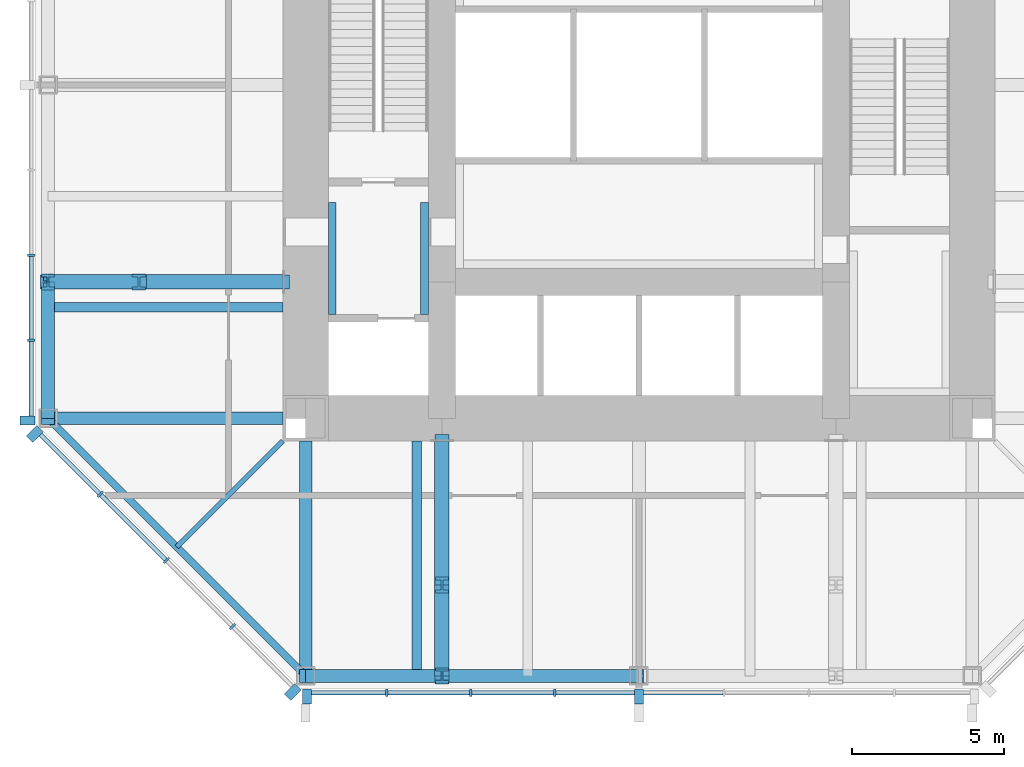
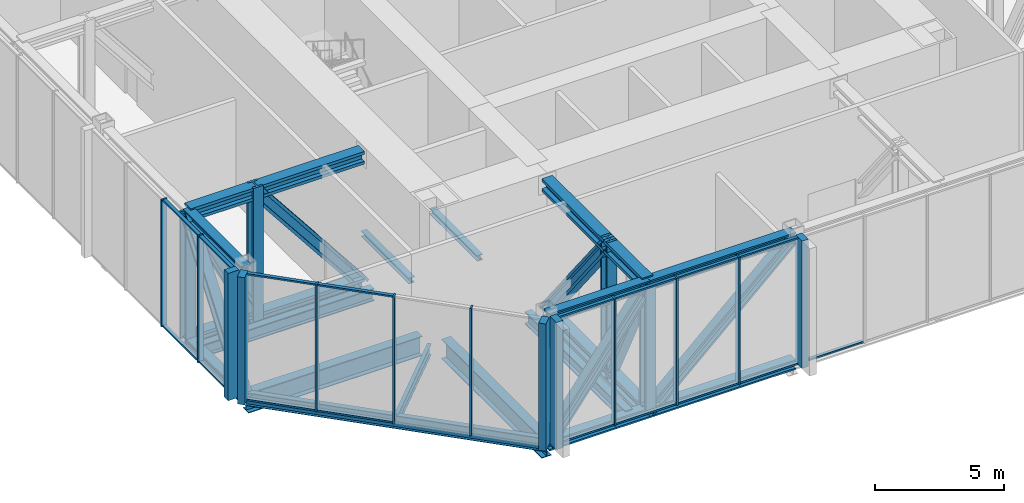
# One storey, part 2 of 11: 41 members, 20 beams, 3 elements without a shape of their own.
"""IFC4 building model written with IfcOpenShell, lengths in metres."""

from ifc_helpers import new_model, si_unit, direction, frame, origin, origin_2d, place, context, subcontext, project, spatial, rectangle, i_section, extrude, material, material_profile, profile_set, type_object, element, aggregate, save


model = new_model("IFC4")

# Units and contexts
model_context = context("Model", 3, precision=1e-05, world=origin(), true_north=direction((0.0, 1.0)))
body_context = subcontext(model_context, "Body", "Model", "MODEL_VIEW")
ifc_project = project(units=[si_unit("LENGTHUNIT", "METRE"), si_unit("AREAUNIT", "SQUARE_METRE"), si_unit("VOLUMEUNIT", "CUBIC_METRE"), si_unit("PLANEANGLEUNIT", "RADIAN"), si_unit("MASSUNIT", "GRAM", prefix="KILO")], contexts=[model_context])

# Site, building, storey
site_placement = place(None, origin())
site = spatial("IfcSite", under=ifc_project, at=site_placement, CompositionType="ELEMENT")
building_placement = place(site_placement, origin())
building = spatial("IfcBuilding", under=site, at=building_placement, Name="Trevanion Tower", CompositionType="ELEMENT")
storey_placement = place(building_placement, frame((0.0, 0.0, 257.199951171875)))
storey = spatial("IfcBuildingStorey", under=building, at=storey_placement, Name="L63", CompositionType="ELEMENT", Elevation=257.199951171875)

# Beams
ifc_material_1 = material(Name="Steel ASTM A992 Grade 50", Category="steel")
ifc_material_profile_1 = material_profile(ifc_material_1, i_section(OverallWidth=0.320068359375, OverallDepth=0.584228515625, WebThickness=0.023193359375, FlangeThickness=0.04150390625, at=origin_2d()), Name="W21X201")
ifc_profile_set_1 = profile_set([ifc_material_profile_1], Name="Steel ASTM A992 Grade 50")
beam_type_1 = type_object("IfcBeamType", Name="B13 W21X201", PredefinedType="BEAM", material=ifc_profile_set_1)
for number, where, z_axis, x_axis, name in (
    (1, (-11.75, -7.333251953125, -0.48193359375), (-1.0, 0.0, 0.0), (0.0, -1.0, 0.0), "B13 L63"),
    (2, (-7.333251953125, -11.75, -0.48193359375), (0.0, -1.0, 0.0), (1.0, 0.0, 0.0), "B13 L63"),
):
    element("IfcBeam", number, at=place(storey_placement, frame(where, z_axis=z_axis, x_axis=x_axis)), inside=storey, type_object=beam_type_1, Name=name, PredefinedType="BEAM", context=body_context, shape_type="SweptSolid", body=[
        extrude(i_section(OverallWidth=0.320068359375, OverallDepth=0.584228515625, WebThickness=0.023193359375, FlangeThickness=0.04150390625, at=origin_2d()), origin(), (0.0, 0.0, 1.0), 7.75),
    ])
ifc_material_2 = material(Name="Steel ASTM A992 Grade 50", Category="steel")
ifc_material_profile_2 = material_profile(ifc_material_2, i_section(OverallWidth=0.1650390625, OverallDepth=0.52587890625, WebThickness=0.0087890625, FlangeThickness=0.011474609375, at=origin_2d()), Name="W21X44")
ifc_profile_set_2 = profile_set([ifc_material_profile_2], Name="Steel ASTM A992 Grade 50")
beam_type_2 = type_object("IfcBeamType", Name="B14 W21X44", PredefinedType="BEAM", material=ifc_profile_set_2)
beam_1_placement = place(storey_placement, frame((-11.75, -11.75, -0.452880859375), z_axis=(-0.707106781187, -0.707106781187, 0.0), x_axis=(0.707106781187, -0.707106781187, 0.0)))
element("IfcBeam", 3, at=beam_1_placement, inside=storey, type_object=beam_type_2, Name="B14 L63", PredefinedType="BEAM", context=body_context, shape_type="SweptSolid", body=[
    extrude(i_section(OverallWidth=0.1650390625, OverallDepth=0.52587890625, WebThickness=0.0087890625, FlangeThickness=0.011474609375, at=origin_2d()), origin(), (0.0, 0.0, 1.0), 4.94970703125),
])
ifc_material_3 = material(Name="Steel ASTM A992 Grade 50", Category="steel")
ifc_material_profile_3 = material_profile(ifc_material_3, i_section(OverallWidth=0.421630859375, OverallDepth=0.46484375, WebThickness=0.044921875, FlangeThickness=0.072509765625, at=origin_2d()), Name="W14X398")
ifc_profile_set_3 = profile_set([ifc_material_profile_3], Name="Steel ASTM A992 Grade 50")
beam_type_3 = type_object("IfcBeamType", Name="BT3-CH W14X398", PredefinedType="BEAM", material=ifc_profile_set_3)
for number, where, z_axis, x_axis, name in (
    (4, (-19.5, -6.5, -0.48974609375), (0.0, -1.0, 0.0), (1.0, 0.0, 0.0), "BT3 belt truss chord"),
    (5, (-19.5, -6.5, 5.51025390625), (0.0, -1.0, 0.0), (1.0, 0.0, 0.0), "BT3 belt truss chord"),
    (6, (-11.0, -19.5, -0.48974609375), (1.0, 0.0, 0.0), (0.0, 1.0, 0.0), "BT3 belt truss chord"),
    (7, (-11.0, -19.5, 5.51025390625), (1.0, 0.0, 0.0), (0.0, 1.0, 0.0), "BT3 belt truss chord"),
):
    element("IfcBeam", number, at=place(storey_placement, frame(where, z_axis=z_axis, x_axis=x_axis)), inside=storey, type_object=beam_type_3, Name=name, PredefinedType="BEAM", context=body_context, shape_type="SweptSolid", body=[
        extrude(i_section(OverallWidth=0.421630859375, OverallDepth=0.46484375, WebThickness=0.044921875, FlangeThickness=0.072509765625, at=origin_2d()), origin(), (0.0, 0.0, 1.0), 4.5),
    ])
for number, where, z_axis, x_axis, name in (
    (8, (-6.5, -19.5, -0.48974609375), (1.0, 0.0, 0.0), (0.0, 1.0, 0.0), "BT3 belt truss chord"),
    (9, (-6.5, -19.5, 5.51025390625), (1.0, 0.0, 0.0), (0.0, 1.0, 0.0), "BT3 belt truss chord"),
):
    element("IfcBeam", number, at=place(storey_placement, frame(where, z_axis=z_axis, x_axis=x_axis)), inside=storey, type_object=beam_type_3, Name=name, PredefinedType="BEAM", context=body_context, shape_type="SweptSolid", body=[
        extrude(i_section(OverallWidth=0.421630859375, OverallDepth=0.46484375, WebThickness=0.044921875, FlangeThickness=0.072509765625, at=origin_2d()), origin(), (0.0, 0.0, 1.0), 6.5),
    ])

# Members
ifc_material_4 = material(Name="Steel ASTM A992 Grade 50", Category="steel")
ifc_material_profile_4 = material_profile(ifc_material_4, i_section(OverallWidth=0.431884765625, OverallDepth=0.497802734375, WebThickness=0.0556640625, FlangeThickness=0.0888671875, at=origin_2d()), Name="W14X500")
ifc_profile_set_4 = profile_set([ifc_material_profile_4], Name="Steel ASTM A992 Grade 50")
member_type_1 = type_object("IfcMemberType", Name="BT3-D W14X500", PredefinedType="BRACE", material=ifc_profile_set_4)
for number, where, z_axis, x_axis, name in (
    (10, (-19.5, -11.0, -0.48974609375), (0.0, 0.6, 0.8), (-1.0, 0.0, 0.0), "BT3 belt truss diagonal"),
    (11, (-11.0, -19.5, -0.48974609375), (0.6, 0.0, 0.8), (0.0, 1.0, 0.0), "BT3 belt truss diagonal"),
):
    element("IfcMember", number, at=place(storey_placement, frame(where, z_axis=z_axis, x_axis=x_axis)), inside=storey, type_object=member_type_1, Name=name, PredefinedType="BRACE", context=body_context, shape_type="SweptSolid", body=[
        extrude(i_section(OverallWidth=0.431884765625, OverallDepth=0.497802734375, WebThickness=0.0556640625, FlangeThickness=0.0888671875, at=origin_2d()), origin(), (0.0, 0.0, 1.0), 7.5),
    ])
member_1_placement = place(storey_placement, frame((-6.5, -19.5, -0.48974609375), z_axis=(0.734803444627, 0.0, 0.678280102733), x_axis=(0.0, 1.0, 0.0)))
element("IfcMember", 12, at=member_1_placement, inside=storey, type_object=member_type_1, Name="BT3 belt truss diagonal", PredefinedType="BRACE", context=body_context, shape_type="SweptSolid", body=[
    extrude(i_section(OverallWidth=0.431884765625, OverallDepth=0.497802734375, WebThickness=0.0556640625, FlangeThickness=0.0888671875, at=origin_2d()), origin(), (0.0, 0.0, 1.0), 8.845947265625),
])
ifc_material_5 = material(Name="Steel ASTM A992 Grade 50", Category="steel")
ifc_material_profile_5 = material_profile(ifc_material_5, i_section(OverallWidth=0.44189453125, OverallDepth=0.53076171875, WebThickness=0.06591796875, FlangeThickness=0.105712890625, at=origin_2d()), Name="W14X605")
ifc_profile_set_5 = profile_set([ifc_material_profile_5], Name="Steel ASTM A992 Grade 50")
member_type_2 = type_object("IfcMemberType", Name="BT3-V W14X605", PredefinedType="POST", material=ifc_profile_set_5)
for number, where, z_axis, x_axis, name in (
    (13, (-19.5, -6.5, -0.48974609375), (0.0, 0.0, 1.0), (1.0, 0.0, 0.0), "BT3 belt truss vertical"),
    (14, (-6.5, -19.5, -0.48974609375), (0.0, 0.0, 1.0), (1.0, 0.0, 0.0), "BT3 belt truss vertical"),
):
    element("IfcMember", number, at=place(storey_placement, frame(where, z_axis=z_axis, x_axis=x_axis)), inside=storey, type_object=member_type_2, Name=name, PredefinedType="POST", context=body_context, shape_type="SweptSolid", body=[
        extrude(i_section(OverallWidth=0.44189453125, OverallDepth=0.53076171875, WebThickness=0.06591796875, FlangeThickness=0.105712890625, at=origin_2d()), origin(), (0.0, 0.0, 1.0), 6.0),
    ])

# Curtain wall, members
ifc_material_6 = material(Name="Aluminium louvres", Category="aluminium")
curtain_wall_type = type_object("IfcCurtainWallType", Name="CWL curtain wall", PredefinedType="USERDEFINED", material=ifc_material_6)
curtain_wall_1_placement = place(storey_placement, origin())
curtain_wall_1 = element("IfcCurtainWall", 15, at=curtain_wall_1_placement, inside=storey, type_object=curtain_wall_type, Name="CWL L63 4", ObjectType="LOUVRE SCREEN", PredefinedType="USERDEFINED")
ifc_material_7 = material(Name="Aluminium extrusion, anodised bronze", Category="aluminium")
ifc_material_profile_6 = material_profile(ifc_material_7, rectangle(XDim=0.074951171875, YDim=0.25, at=origin_2d()), Name="CWL mullion")
ifc_profile_set_6 = profile_set([ifc_material_profile_6], Name="Aluminium extrusion, anodised bronze")
member_type_3 = type_object("IfcMemberType", Name="CWL mullion", PredefinedType="MULLION", material=ifc_profile_set_6)
member_2_placement = place(storey_placement, frame((-20.050048828125, -5.614013671875, -0.18994140625), z_axis=(0.0, 0.0, 1.0), x_axis=(0.0, -1.0, 0.0)))
member_2 = element("IfcMember", 16, at=member_2_placement, type_object=member_type_3, Name="CWL mullion 7", PredefinedType="MULLION", context=body_context, shape_type="SweptSolid", body=[
    extrude(rectangle(XDim=0.074951171875, YDim=0.25, at=origin_2d()), origin(), (0.0, 0.0, 1.0), 6.0),
])
member_3_placement = place(storey_placement, frame((-20.050048828125, -8.4208984375, -0.18994140625), z_axis=(0.0, 0.0, 1.0), x_axis=(0.0, -1.0, 0.0)))
member_3 = element("IfcMember", 17, at=member_3_placement, type_object=member_type_3, Name="CWL mullion 8", PredefinedType="MULLION", context=body_context, shape_type="SweptSolid", body=[
    extrude(rectangle(XDim=0.074951171875, YDim=0.25, at=origin_2d()), origin(), (0.0, 0.0, 1.0), 6.0),
])

curtain_wall_2_placement = place(storey_placement, origin())
curtain_wall_2 = element("IfcCurtainWall", 18, at=curtain_wall_2_placement, inside=storey, type_object=curtain_wall_type, Name="CWL L63 5", ObjectType="LOUVRE SCREEN", PredefinedType="USERDEFINED")
member_4_placement = place(storey_placement, frame((-17.775390625, -13.502197265625, -0.18994140625), z_axis=(0.0, 0.0, 1.0), x_axis=(0.707106781187, -0.707106781187, 0.0)))
member_4 = element("IfcMember", 19, at=member_4_placement, type_object=member_type_3, Name="CWL mullion 2", PredefinedType="MULLION", context=body_context, shape_type="SweptSolid", body=[
    extrude(rectangle(XDim=0.074951171875, YDim=0.25, at=origin_2d()), origin(), (0.0, 0.0, 1.0), 6.0),
])
member_5_placement = place(storey_placement, frame((-15.593017578125, -15.684814453125, -0.18994140625), z_axis=(0.0, 0.0, 1.0), x_axis=(0.707106781187, -0.707106781187, 0.0)))
member_5 = element("IfcMember", 20, at=member_5_placement, type_object=member_type_3, Name="CWL mullion 3", PredefinedType="MULLION", context=body_context, shape_type="SweptSolid", body=[
    extrude(rectangle(XDim=0.074951171875, YDim=0.25, at=origin_2d()), origin(), (0.0, 0.0, 1.0), 6.0),
])
member_6_placement = place(storey_placement, frame((-13.410400390625, -17.867431640625, -0.18994140625), z_axis=(0.0, 0.0, 1.0), x_axis=(0.707106781187, -0.707106781187, 0.0)))
member_6 = element("IfcMember", 21, at=member_6_placement, type_object=member_type_3, Name="CWL mullion 4", PredefinedType="MULLION", context=body_context, shape_type="SweptSolid", body=[
    extrude(rectangle(XDim=0.074951171875, YDim=0.25, at=origin_2d()), origin(), (0.0, 0.0, 1.0), 6.0),
])

curtain_wall_3_placement = place(storey_placement, origin())
curtain_wall_3 = element("IfcCurtainWall", 22, at=curtain_wall_3_placement, inside=storey, type_object=curtain_wall_type, Name="CWL L63 6", ObjectType="LOUVRE SCREEN", PredefinedType="USERDEFINED")
member_7_placement = place(storey_placement, frame((-8.323486328125, -20.050048828125, -0.18994140625), z_axis=(0.0, 0.0, 1.0), x_axis=(1.0, 0.0, 0.0)))
member_7 = element("IfcMember", 23, at=member_7_placement, type_object=member_type_3, Name="CWL mullion 2", PredefinedType="MULLION", context=body_context, shape_type="SweptSolid", body=[
    extrude(rectangle(XDim=0.074951171875, YDim=0.25, at=origin_2d()), origin(), (0.0, 0.0, 1.0), 6.0),
])
member_8_placement = place(storey_placement, frame((-5.548828125, -20.050048828125, -0.18994140625), z_axis=(0.0, 0.0, 1.0), x_axis=(1.0, 0.0, 0.0)))
member_8 = element("IfcMember", 24, at=member_8_placement, type_object=member_type_3, Name="CWL mullion 3", PredefinedType="MULLION", context=body_context, shape_type="SweptSolid", body=[
    extrude(rectangle(XDim=0.074951171875, YDim=0.25, at=origin_2d()), origin(), (0.0, 0.0, 1.0), 6.0),
])
member_9_placement = place(storey_placement, frame((-2.7744140625, -20.050048828125, -0.18994140625), z_axis=(0.0, 0.0, 1.0), x_axis=(1.0, 0.0, 0.0)))
member_9 = element("IfcMember", 25, at=member_9_placement, type_object=member_type_3, Name="CWL mullion 4", PredefinedType="MULLION", context=body_context, shape_type="SweptSolid", body=[
    extrude(rectangle(XDim=0.074951171875, YDim=0.25, at=origin_2d()), origin(), (0.0, 0.0, 1.0), 6.0),
])

# Member
ifc_material_8 = material(Name="Aluminium extrusion, anodised bronze", Category="aluminium")
ifc_material_profile_7 = material_profile(ifc_material_8, rectangle(XDim=0.300048828125, YDim=0.5, at=origin_2d()), Name="CWL pier mullion")
ifc_profile_set_7 = profile_set([ifc_material_profile_7], Name="Aluminium extrusion, anodised bronze")
member_type_4 = type_object("IfcMemberType", Name="CWL pier mullion", PredefinedType="MULLION", material=ifc_profile_set_7)
member_10_placement = place(storey_placement, frame((-20.175048828125, -11.077880859375, -0.18994140625), z_axis=(0.0, 0.0, 1.0), x_axis=(0.0, -1.0, 0.0)))
member_10 = element("IfcMember", 26, at=member_10_placement, type_object=member_type_4, Name="CWL pier mullion 9", PredefinedType="MULLION", context=body_context, shape_type="SweptSolid", body=[
    extrude(rectangle(XDim=0.300048828125, YDim=0.5, at=origin_2d()), origin(), (0.0, 0.0, 1.0), 6.0),
])

member_11_placement = place(storey_placement, frame((-19.9404296875, -11.51416015625, -0.18994140625), z_axis=(0.0, 0.0, 1.0), x_axis=(0.707106781187, -0.707106781187, 0.0)))
member_11 = element("IfcMember", 27, at=member_11_placement, type_object=member_type_4, Name="CWL pier mullion 1", PredefinedType="MULLION", context=body_context, shape_type="SweptSolid", body=[
    extrude(rectangle(XDim=0.300048828125, YDim=0.5, at=origin_2d()), origin(), (0.0, 0.0, 1.0), 6.0),
])

member_12_placement = place(storey_placement, frame((-11.42236328125, -20.0322265625, -0.18994140625), z_axis=(0.0, 0.0, 1.0), x_axis=(0.707106781187, -0.707106781187, 0.0)))
member_12 = element("IfcMember", 28, at=member_12_placement, type_object=member_type_4, Name="CWL pier mullion 5", PredefinedType="MULLION", context=body_context, shape_type="SweptSolid", body=[
    extrude(rectangle(XDim=0.300048828125, YDim=0.5, at=origin_2d()), origin(), (0.0, 0.0, 1.0), 6.0),
])

member_13_placement = place(storey_placement, frame((-10.94775390625, -20.175048828125, -0.18994140625), z_axis=(0.0, 0.0, 1.0), x_axis=(1.0, 0.0, 0.0)))
member_13 = element("IfcMember", 29, at=member_13_placement, type_object=member_type_4, Name="CWL pier mullion 1", PredefinedType="MULLION", context=body_context, shape_type="SweptSolid", body=[
    extrude(rectangle(XDim=0.300048828125, YDim=0.5, at=origin_2d()), origin(), (0.0, 0.0, 1.0), 6.0),
])

member_14_placement = place(storey_placement, frame((0.0, -20.175048828125, -0.18994140625), z_axis=(0.0, 0.0, 1.0), x_axis=(1.0, 0.0, 0.0)))
member_14 = element("IfcMember", 30, at=member_14_placement, type_object=member_type_4, Name="CWL pier mullion 5", PredefinedType="MULLION", context=body_context, shape_type="SweptSolid", body=[
    extrude(rectangle(XDim=0.300048828125, YDim=0.5, at=origin_2d()), origin(), (0.0, 0.0, 1.0), 6.0),
])

ifc_material_9 = material(Name="Aluminium extrusion, anodised bronze", Category="aluminium")
ifc_material_profile_8 = material_profile(ifc_material_9, rectangle(XDim=0.14990234375, YDim=0.074951171875, at=origin_2d()), Name="CWL transom")
ifc_profile_set_8 = profile_set([ifc_material_profile_8], Name="Aluminium extrusion, anodised bronze")
member_type_5 = type_object("IfcMemberType", Name="CWL transom", PredefinedType="USERDEFINED", material=ifc_profile_set_8)
member_15_placement = place(storey_placement, frame((-20.050048828125, -5.6513671875, -0.15234375), z_axis=(0.0, -1.0, 0.0), x_axis=(1.0, 0.0, 0.0)))
member_15 = element("IfcMember", 31, at=member_15_placement, type_object=member_type_5, Name="CWL transom 7.1", ObjectType="TRANSOM", PredefinedType="USERDEFINED", context=body_context, shape_type="SweptSolid", body=[
    extrude(rectangle(XDim=0.14990234375, YDim=0.074951171875, at=origin_2d()), origin(), (0.0, 0.0, 1.0), 2.73193359375),
])

member_16_placement = place(storey_placement, frame((-20.050048828125, -5.6513671875, 5.7724609375), z_axis=(0.0, -1.0, 0.0), x_axis=(1.0, 0.0, 0.0)))
member_16 = element("IfcMember", 32, at=member_16_placement, type_object=member_type_5, Name="CWL transom 7.2", ObjectType="TRANSOM", PredefinedType="USERDEFINED", context=body_context, shape_type="SweptSolid", body=[
    extrude(rectangle(XDim=0.14990234375, YDim=0.074951171875, at=origin_2d()), origin(), (0.0, 0.0, 1.0), 2.73193359375),
])

member_17_placement = place(storey_placement, frame((-20.050048828125, -8.45849609375, -0.15234375), z_axis=(0.0, -1.0, 0.0), x_axis=(1.0, 0.0, 0.0)))
member_17 = element("IfcMember", 33, at=member_17_placement, type_object=member_type_5, Name="CWL transom 8.1", ObjectType="TRANSOM", PredefinedType="USERDEFINED", context=body_context, shape_type="SweptSolid", body=[
    extrude(rectangle(XDim=0.14990234375, YDim=0.074951171875, at=origin_2d()), origin(), (0.0, 0.0, 1.0), 2.46923828125),
])

member_18_placement = place(storey_placement, frame((-20.050048828125, -8.45849609375, 5.7724609375), z_axis=(0.0, -1.0, 0.0), x_axis=(1.0, 0.0, 0.0)))
member_18 = element("IfcMember", 34, at=member_18_placement, type_object=member_type_5, Name="CWL transom 8.2", ObjectType="TRANSOM", PredefinedType="USERDEFINED", context=body_context, shape_type="SweptSolid", body=[
    extrude(rectangle(XDim=0.14990234375, YDim=0.074951171875, at=origin_2d()), origin(), (0.0, 0.0, 1.0), 2.46923828125),
])

aggregate(curtain_wall_1, [member_2, member_3, member_10, member_15, member_16, member_17, member_18])

member_19_placement = place(storey_placement, frame((-19.745849609375, -11.531982421875, -0.15234375), z_axis=(0.707106781187, -0.707106781187, 0.0), x_axis=(0.707106781187, 0.707106781187, 0.0)))
member_19 = element("IfcMember", 35, at=member_19_placement, type_object=member_type_5, Name="CWL transom 1.1", ObjectType="TRANSOM", PredefinedType="USERDEFINED", context=body_context, shape_type="SweptSolid", body=[
    extrude(rectangle(XDim=0.14990234375, YDim=0.074951171875, at=origin_2d()), origin(), (0.0, 0.0, 1.0), 2.7490234375),
])

member_20_placement = place(storey_placement, frame((-19.745849609375, -11.531982421875, 5.7724609375), z_axis=(0.707106781187, -0.707106781187, 0.0), x_axis=(0.707106781187, 0.707106781187, 0.0)))
member_20 = element("IfcMember", 36, at=member_20_placement, type_object=member_type_5, Name="CWL transom 1.2", ObjectType="TRANSOM", PredefinedType="USERDEFINED", context=body_context, shape_type="SweptSolid", body=[
    extrude(rectangle(XDim=0.14990234375, YDim=0.074951171875, at=origin_2d()), origin(), (0.0, 0.0, 1.0), 2.7490234375),
])

member_21_placement = place(storey_placement, frame((-17.7490234375, -13.52880859375, -0.15234375), z_axis=(0.707106781187, -0.707106781187, 0.0), x_axis=(0.707106781187, 0.707106781187, 0.0)))
member_21 = element("IfcMember", 37, at=member_21_placement, type_object=member_type_5, Name="CWL transom 2.1", ObjectType="TRANSOM", PredefinedType="USERDEFINED", context=body_context, shape_type="SweptSolid", body=[
    extrude(rectangle(XDim=0.14990234375, YDim=0.074951171875, at=origin_2d()), origin(), (0.0, 0.0, 1.0), 3.01171875),
])

member_22_placement = place(storey_placement, frame((-17.7490234375, -13.52880859375, 5.7724609375), z_axis=(0.707106781187, -0.707106781187, 0.0), x_axis=(0.707106781187, 0.707106781187, 0.0)))
member_22 = element("IfcMember", 38, at=member_22_placement, type_object=member_type_5, Name="CWL transom 2.2", ObjectType="TRANSOM", PredefinedType="USERDEFINED", context=body_context, shape_type="SweptSolid", body=[
    extrude(rectangle(XDim=0.14990234375, YDim=0.074951171875, at=origin_2d()), origin(), (0.0, 0.0, 1.0), 3.01171875),
])

aggregate(curtain_wall_2, [member_11, member_4, member_5, member_6, member_12, member_19, member_20, member_21, member_22])

member_23_placement = place(storey_placement, frame((-10.7978515625, -20.050048828125, -0.15234375), z_axis=(1.0, 0.0, 0.0), x_axis=(0.0, 1.0, 0.0)))
member_23 = element("IfcMember", 39, at=member_23_placement, type_object=member_type_5, Name="CWL transom 1.1", ObjectType="TRANSOM", PredefinedType="USERDEFINED", context=body_context, shape_type="SweptSolid", body=[
    extrude(rectangle(XDim=0.14990234375, YDim=0.074951171875, at=origin_2d()), origin(), (0.0, 0.0, 1.0), 2.43701171875),
])

member_24_placement = place(storey_placement, frame((-10.7978515625, -20.050048828125, 5.7724609375), z_axis=(1.0, 0.0, 0.0), x_axis=(0.0, 1.0, 0.0)))
member_24 = element("IfcMember", 40, at=member_24_placement, type_object=member_type_5, Name="CWL transom 1.2", ObjectType="TRANSOM", PredefinedType="USERDEFINED", context=body_context, shape_type="SweptSolid", body=[
    extrude(rectangle(XDim=0.14990234375, YDim=0.074951171875, at=origin_2d()), origin(), (0.0, 0.0, 1.0), 2.43701171875),
])

member_25_placement = place(storey_placement, frame((-8.285888671875, -20.050048828125, -0.15234375), z_axis=(1.0, 0.0, 0.0), x_axis=(0.0, 1.0, 0.0)))
member_25 = element("IfcMember", 41, at=member_25_placement, type_object=member_type_5, Name="CWL transom 2.1", ObjectType="TRANSOM", PredefinedType="USERDEFINED", context=body_context, shape_type="SweptSolid", body=[
    extrude(rectangle(XDim=0.14990234375, YDim=0.074951171875, at=origin_2d()), origin(), (0.0, 0.0, 1.0), 2.699462890625),
])

member_26_placement = place(storey_placement, frame((-8.285888671875, -20.050048828125, 5.7724609375), z_axis=(1.0, 0.0, 0.0), x_axis=(0.0, 1.0, 0.0)))
member_26 = element("IfcMember", 42, at=member_26_placement, type_object=member_type_5, Name="CWL transom 2.2", ObjectType="TRANSOM", PredefinedType="USERDEFINED", context=body_context, shape_type="SweptSolid", body=[
    extrude(rectangle(XDim=0.14990234375, YDim=0.074951171875, at=origin_2d()), origin(), (0.0, 0.0, 1.0), 2.699462890625),
])

member_27_placement = place(storey_placement, frame((-5.511474609375, -20.050048828125, -0.15234375), z_axis=(1.0, 0.0, 0.0), x_axis=(0.0, 1.0, 0.0)))
member_27 = element("IfcMember", 43, at=member_27_placement, type_object=member_type_5, Name="CWL transom 3.1", ObjectType="TRANSOM", PredefinedType="USERDEFINED", context=body_context, shape_type="SweptSolid", body=[
    extrude(rectangle(XDim=0.14990234375, YDim=0.074951171875, at=origin_2d()), origin(), (0.0, 0.0, 1.0), 2.699462890625),
])

member_28_placement = place(storey_placement, frame((-5.511474609375, -20.050048828125, 5.7724609375), z_axis=(1.0, 0.0, 0.0), x_axis=(0.0, 1.0, 0.0)))
member_28 = element("IfcMember", 44, at=member_28_placement, type_object=member_type_5, Name="CWL transom 3.2", ObjectType="TRANSOM", PredefinedType="USERDEFINED", context=body_context, shape_type="SweptSolid", body=[
    extrude(rectangle(XDim=0.14990234375, YDim=0.074951171875, at=origin_2d()), origin(), (0.0, 0.0, 1.0), 2.699462890625),
])

member_29_placement = place(storey_placement, frame((-2.737060546875, -20.050048828125, -0.15234375), z_axis=(1.0, 0.0, 0.0), x_axis=(0.0, 1.0, 0.0)))
member_29 = element("IfcMember", 45, at=member_29_placement, type_object=member_type_5, Name="CWL transom 4.1", ObjectType="TRANSOM", PredefinedType="USERDEFINED", context=body_context, shape_type="SweptSolid", body=[
    extrude(rectangle(XDim=0.14990234375, YDim=0.074951171875, at=origin_2d()), origin(), (0.0, 0.0, 1.0), 2.587158203125),
])

member_30_placement = place(storey_placement, frame((-2.737060546875, -20.050048828125, 5.7724609375), z_axis=(1.0, 0.0, 0.0), x_axis=(0.0, 1.0, 0.0)))
member_30 = element("IfcMember", 46, at=member_30_placement, type_object=member_type_5, Name="CWL transom 4.2", ObjectType="TRANSOM", PredefinedType="USERDEFINED", context=body_context, shape_type="SweptSolid", body=[
    extrude(rectangle(XDim=0.14990234375, YDim=0.074951171875, at=origin_2d()), origin(), (0.0, 0.0, 1.0), 2.587158203125),
])

member_31_placement = place(storey_placement, frame((0.14990234375, -20.050048828125, -0.15234375), z_axis=(1.0, 0.0, 0.0), x_axis=(0.0, 1.0, 0.0)))
member_31 = element("IfcMember", 47, at=member_31_placement, type_object=member_type_5, Name="CWL transom 5.1", ObjectType="TRANSOM", PredefinedType="USERDEFINED", context=body_context, shape_type="SweptSolid", body=[
    extrude(rectangle(XDim=0.14990234375, YDim=0.074951171875, at=origin_2d()), origin(), (0.0, 0.0, 1.0), 2.619384765625),
])

aggregate(curtain_wall_3, [member_13, member_7, member_8, member_9, member_14, member_23, member_24, member_25, member_26, member_27, member_28, member_29, member_30, member_31])

# Beams
ifc_material_10 = material(Name="Steel ASTM A992 Grade 50", Category="steel")
ifc_material_profile_9 = material_profile(ifc_material_10, i_section(OverallWidth=0.419189453125, OverallDepth=0.927001953125, WebThickness=0.019287109375, FlangeThickness=0.031982421875, at=origin_2d()), Name="W36X231")
ifc_profile_set_9 = profile_set([ifc_material_profile_9], Name="Steel ASTM A992 Grade 50")
beam_type_4 = type_object("IfcBeamType", Name="G7 W36X231", PredefinedType="BEAM", material=ifc_profile_set_9)
for number, where, z_axis, x_axis, name in (
    (48, (-11.75, -11.0, -0.653564453125), (-1.0, 0.0, 0.0), (0.0, -1.0, 0.0), "G7 L63"),
    (49, (-11.0, -11.75, -0.653564453125), (0.0, -1.0, 0.0), (1.0, 0.0, 0.0), "G7 L63"),
):
    element("IfcBeam", number, at=place(storey_placement, frame(where, z_axis=z_axis, x_axis=x_axis)), inside=storey, type_object=beam_type_4, Name=name, PredefinedType="BEAM", context=body_context, shape_type="SweptSolid", body=[
        extrude(i_section(OverallWidth=0.419189453125, OverallDepth=0.927001953125, WebThickness=0.019287109375, FlangeThickness=0.031982421875, at=origin_2d()), origin(), (0.0, 0.0, 1.0), 7.75),
    ])
ifc_material_11 = material(Name="Steel ASTM A992 Grade 50", Category="steel")
ifc_material_profile_10 = material_profile(ifc_material_11, i_section(OverallWidth=0.256591796875, OverallDepth=0.26416015625, WebThickness=0.011962890625, FlangeThickness=0.01953125, at=origin_2d()), Name="W10X68")
ifc_profile_set_10 = profile_set([ifc_material_profile_10], Name="Steel ASTM A992 Grade 50")
beam_type_5 = type_object("IfcBeamType", Name="LB1 W10X68", PredefinedType="BEAM", material=ifc_profile_set_10)
for number, where, z_axis, x_axis, name in (
    (50, (-10.12158203125, -7.574951171875, -0.33203125), (0.0, 1.0, 0.0), (-1.0, 0.0, 0.0), "LB1 L63"),
    (51, (-7.078369140625, -7.574951171875, -0.33203125), (0.0, 1.0, 0.0), (-1.0, 0.0, 0.0), "LB1 L63"),
):
    element("IfcBeam", number, at=place(storey_placement, frame(where, z_axis=z_axis, x_axis=x_axis)), inside=storey, type_object=beam_type_5, Name=name, PredefinedType="BEAM", context=body_context, shape_type="SweptSolid", body=[
        extrude(i_section(OverallWidth=0.256591796875, OverallDepth=0.26416015625, WebThickness=0.011962890625, FlangeThickness=0.01953125, at=origin_2d()), origin(), (0.0, 0.0, 1.0), 3.699951171875),
    ])
ifc_material_12 = material(Name="Steel ASTM A992 Grade 50", Category="steel")
ifc_material_profile_11 = material_profile(ifc_material_12, i_section(OverallWidth=0.22900390625, OverallDepth=0.612060546875, WebThickness=0.011962890625, FlangeThickness=0.01953125, at=origin_2d()), Name="W24X84")
ifc_profile_set_11 = profile_set([ifc_material_profile_11], Name="Steel ASTM A992 Grade 50")
beam_type_6 = type_object("IfcBeamType", Name="SB11 W24X84", PredefinedType="SPANDREL", material=ifc_profile_set_11)
beam_2_placement = place(storey_placement, frame((-19.5, -11.0, -0.49609375), z_axis=(0.707106781187, -0.707106781187, 0.0), x_axis=(0.707106781187, 0.707106781187, 0.0)))
element("IfcBeam", 52, at=beam_2_placement, inside=storey, type_object=beam_type_6, Name="SB11 L63", PredefinedType="SPANDREL", context=body_context, shape_type="SweptSolid", body=[
    extrude(i_section(OverallWidth=0.22900390625, OverallDepth=0.612060546875, WebThickness=0.011962890625, FlangeThickness=0.01953125, at=origin_2d()), origin(), (0.0, 0.0, 1.0), 12.020751953125),
])
ifc_material_13 = material(Name="Steel ASTM A992 Grade 50", Category="steel")
ifc_material_profile_12 = material_profile(ifc_material_13, i_section(OverallWidth=0.4775390625, OverallDepth=0.599365234375, WebThickness=0.10009765625, FlangeThickness=0.139892578125, at=origin_2d()), Name="W14X873")
ifc_profile_set_12 = profile_set([ifc_material_profile_12], Name="Steel ASTM A992 Grade 50")
beam_type_7 = type_object("IfcBeamType", Name="TT3-CH W14X873", PredefinedType="BEAM", material=ifc_profile_set_12)
beam_3_placement = place(storey_placement, frame((-6.5, -11.75, -0.48974609375), z_axis=(0.0, -1.0, 0.0), x_axis=(1.0, 0.0, 0.0)))
element("IfcBeam", 53, at=beam_3_placement, inside=storey, type_object=beam_type_7, Name="TT3 9/C transfer truss chord", PredefinedType="BEAM", context=body_context, shape_type="SweptSolid", body=[
    extrude(i_section(OverallWidth=0.4775390625, OverallDepth=0.599365234375, WebThickness=0.10009765625, FlangeThickness=0.139892578125, at=origin_2d()), origin(), (0.0, 0.0, 1.0), 7.75),
])
beam_4_placement = place(storey_placement, frame((-6.5, -11.75, 5.51025390625), z_axis=(0.0, -1.0, 0.0), x_axis=(1.0, 0.0, 0.0)))
element("IfcBeam", 54, at=beam_4_placement, inside=storey, type_object=beam_type_7, Name="TT3 9/C transfer truss chord", PredefinedType="BEAM", context=body_context, shape_type="SweptSolid", body=[
    extrude(i_section(OverallWidth=0.4775390625, OverallDepth=0.599365234375, WebThickness=0.10009765625, FlangeThickness=0.139892578125, at=origin_2d()), origin(), (0.0, 0.0, 1.0), 4.75),
])
beam_5_placement = place(storey_placement, frame((-6.5, -16.5, 5.51025390625), z_axis=(0.0, -1.0, 0.0), x_axis=(1.0, 0.0, 0.0)))
element("IfcBeam", 55, at=beam_5_placement, inside=storey, type_object=beam_type_7, Name="TT3 9/C transfer truss chord", PredefinedType="BEAM", context=body_context, shape_type="SweptSolid", body=[
    extrude(i_section(OverallWidth=0.4775390625, OverallDepth=0.599365234375, WebThickness=0.10009765625, FlangeThickness=0.139892578125, at=origin_2d()), origin(), (0.0, 0.0, 1.0), 3.0),
])
beam_6_placement = place(storey_placement, frame((-11.75, -6.5, -0.48974609375), z_axis=(-1.0, 0.0, 0.0), x_axis=(0.0, -1.0, 0.0)))
element("IfcBeam", 56, at=beam_6_placement, inside=storey, type_object=beam_type_7, Name="TT3 5/G transfer truss chord", PredefinedType="BEAM", context=body_context, shape_type="SweptSolid", body=[
    extrude(i_section(OverallWidth=0.4775390625, OverallDepth=0.599365234375, WebThickness=0.10009765625, FlangeThickness=0.139892578125, at=origin_2d()), origin(), (0.0, 0.0, 1.0), 7.75),
])
beam_7_placement = place(storey_placement, frame((-11.75, -6.5, 5.51025390625), z_axis=(-1.0, 0.0, 0.0), x_axis=(0.0, -1.0, 0.0)))
element("IfcBeam", 57, at=beam_7_placement, inside=storey, type_object=beam_type_7, Name="TT3 5/G transfer truss chord", PredefinedType="BEAM", context=body_context, shape_type="SweptSolid", body=[
    extrude(i_section(OverallWidth=0.4775390625, OverallDepth=0.599365234375, WebThickness=0.10009765625, FlangeThickness=0.139892578125, at=origin_2d()), origin(), (0.0, 0.0, 1.0), 4.75),
])
beam_8_placement = place(storey_placement, frame((-16.5, -6.5, 5.51025390625), z_axis=(-1.0, 0.0, 0.0), x_axis=(0.0, -1.0, 0.0)))
element("IfcBeam", 58, at=beam_8_placement, inside=storey, type_object=beam_type_7, Name="TT3 5/G transfer truss chord", PredefinedType="BEAM", context=body_context, shape_type="SweptSolid", body=[
    extrude(i_section(OverallWidth=0.4775390625, OverallDepth=0.599365234375, WebThickness=0.10009765625, FlangeThickness=0.139892578125, at=origin_2d()), origin(), (0.0, 0.0, 1.0), 3.0),
])

# Members
ifc_material_14 = material(Name="Steel ASTM A992 Grade 50", Category="steel")
ifc_material_profile_13 = material_profile(ifc_material_14, i_section(OverallWidth=0.45458984375, OverallDepth=0.56884765625, WebThickness=0.077880859375, FlangeThickness=0.124755859375, at=origin_2d()), Name="W14X730")
ifc_profile_set_13 = profile_set([ifc_material_profile_13], Name="Steel ASTM A992 Grade 50")
member_type_6 = type_object("IfcMemberType", Name="TT3-D W14X730", PredefinedType="BRACE", material=ifc_profile_set_13)
member_32_placement = place(storey_placement, frame((-6.5, -11.75, -0.48974609375), z_axis=(0.0, -0.620702944366, 0.784045824462), x_axis=(1.0, 0.0, 0.0)))
element("IfcMember", 59, at=member_32_placement, inside=storey, type_object=member_type_6, Name="TT3 9/C transfer truss diagonal", PredefinedType="BRACE", context=body_context, shape_type="SweptSolid", body=[
    extrude(i_section(OverallWidth=0.45458984375, OverallDepth=0.56884765625, WebThickness=0.077880859375, FlangeThickness=0.124755859375, at=origin_2d()), origin(), (0.0, 0.0, 1.0), 7.652587890625),
])
member_33_placement = place(storey_placement, frame((-6.5, -16.5, -0.48974609375), z_axis=(0.0, -0.4472135955, 0.894427191), x_axis=(1.0, 0.0, 0.0)))
element("IfcMember", 60, at=member_33_placement, inside=storey, type_object=member_type_6, Name="TT3 9/C transfer truss diagonal", PredefinedType="BRACE", context=body_context, shape_type="SweptSolid", body=[
    extrude(i_section(OverallWidth=0.45458984375, OverallDepth=0.56884765625, WebThickness=0.077880859375, FlangeThickness=0.124755859375, at=origin_2d()), origin(), (0.0, 0.0, 1.0), 6.708251953125),
])
member_34_placement = place(storey_placement, frame((-11.75, -6.5, -0.48974609375), z_axis=(-0.620702944366, 0.0, 0.784045824462), x_axis=(0.0, -1.0, 0.0)))
element("IfcMember", 61, at=member_34_placement, inside=storey, type_object=member_type_6, Name="TT3 5/G transfer truss diagonal", PredefinedType="BRACE", context=body_context, shape_type="SweptSolid", body=[
    extrude(i_section(OverallWidth=0.45458984375, OverallDepth=0.56884765625, WebThickness=0.077880859375, FlangeThickness=0.124755859375, at=origin_2d()), origin(), (0.0, 0.0, 1.0), 7.652587890625),
])
member_35_placement = place(storey_placement, frame((-16.5, -6.5, -0.48974609375), z_axis=(-0.4472135955, 0.0, 0.894427191), x_axis=(0.0, -1.0, 0.0)))
element("IfcMember", 62, at=member_35_placement, inside=storey, type_object=member_type_6, Name="TT3 5/G transfer truss diagonal", PredefinedType="BRACE", context=body_context, shape_type="SweptSolid", body=[
    extrude(i_section(OverallWidth=0.45458984375, OverallDepth=0.56884765625, WebThickness=0.077880859375, FlangeThickness=0.124755859375, at=origin_2d()), origin(), (0.0, 0.0, 1.0), 6.708251953125),
])
ifc_material_15 = material(Name="Steel ASTM A992 Grade 50", Category="steel")
ifc_material_profile_14 = material_profile(ifc_material_15, i_section(OverallWidth=0.44189453125, OverallDepth=0.53076171875, WebThickness=0.06591796875, FlangeThickness=0.105712890625, at=origin_2d()), Name="W14X605")
ifc_profile_set_14 = profile_set([ifc_material_profile_14], Name="Steel ASTM A992 Grade 50")
member_type_7 = type_object("IfcMemberType", Name="TT3-V W14X605", PredefinedType="POST", material=ifc_profile_set_14)
for number, where, z_axis, x_axis, name in (
    (63, (-6.5, -16.5, -0.48974609375), (0.0, 0.0, 1.0), (1.0, 0.0, 0.0), "TT3 9/C transfer truss vertical"),
    (64, (-16.5, -6.5, -0.48974609375), (0.0, 0.0, 1.0), (1.0, 0.0, 0.0), "TT3 5/G transfer truss vertical"),
):
    element("IfcMember", number, at=place(storey_placement, frame(where, z_axis=z_axis, x_axis=x_axis)), inside=storey, type_object=member_type_7, Name=name, PredefinedType="POST", context=body_context, shape_type="SweptSolid", body=[
        extrude(i_section(OverallWidth=0.44189453125, OverallDepth=0.53076171875, WebThickness=0.06591796875, FlangeThickness=0.105712890625, at=origin_2d()), origin(), (0.0, 0.0, 1.0), 6.2998046875),
    ])

save(model, "model.ifc")
